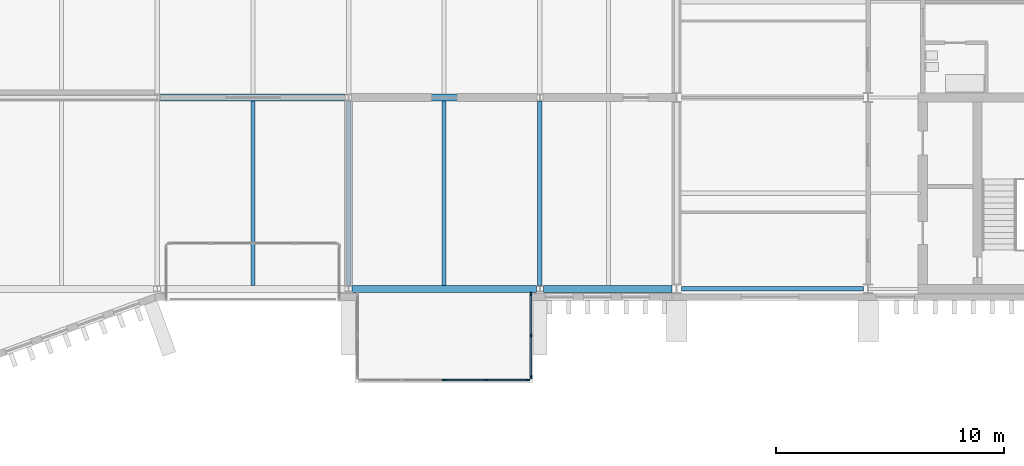
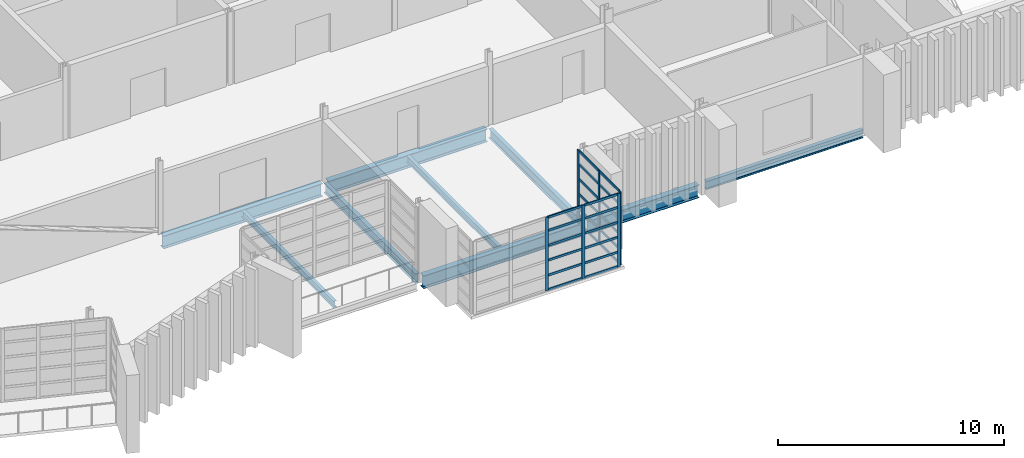
# One storey, part 38 of 88: 30 members, 9 beams, 2 elements without a shape of their own.
"""IFC4 building model written with IfcOpenShell, lengths in metres."""

from ifc_helpers import new_model, si_unit, direction, frame, origin, origin_2d, place, context, subcontext, project, spatial, rectangle, i_section, extrude, material, layer, layer_set, material_profile, profile_set, type_object, element, aggregate, save


model = new_model("IFC4")

# Units and contexts
model_context = context("Model", 3, precision=1e-05, world=origin(), true_north=direction((0.0, 1.0)))
body_context = subcontext(model_context, "Body", "Model", "MODEL_VIEW")
ifc_project = project(units=[si_unit("LENGTHUNIT", "METRE"), si_unit("AREAUNIT", "SQUARE_METRE"), si_unit("VOLUMEUNIT", "CUBIC_METRE"), si_unit("PLANEANGLEUNIT", "RADIAN"), si_unit("MASSUNIT", "GRAM", prefix="KILO")], contexts=[model_context])

# Site, building, storey
site_placement = place(None, origin())
site = spatial("IfcSite", under=ifc_project, at=site_placement, CompositionType="ELEMENT")
building_placement = place(site_placement, origin())
building = spatial("IfcBuilding", under=site, at=building_placement, Name="Cresset Court Congress Hotel", CompositionType="ELEMENT")
storey_placement = place(building_placement, frame((0.0, 0.0, 14.39990234375)))
storey = spatial("IfcBuildingStorey", under=building, at=storey_placement, Name="L03", CompositionType="ELEMENT", Elevation=14.39990234375)

# Curtain wall, members
ifc_material_1 = material(Name="Aluminium frame with double glazing", Category="aluminium")
ifc_layer = layer(ifc_material_1, 0.199951171875)
ifc_layer_set = layer_set([ifc_layer], Name="Glazed box curtain wall 1680 module")
curtain_wall_type = type_object("IfcCurtainWallType", Name="Glazed box curtain wall 1680 module", PredefinedType="NOTDEFINED", material=ifc_layer_set)
curtain_wall_1_placement = place(storey_placement, origin())
curtain_wall_1 = element("IfcCurtainWall", 1, at=curtain_wall_1_placement, inside=storey, type_object=curtain_wall_type, Name="Glazed box S0323 front", PredefinedType="NOTDEFINED")
ifc_material_2 = material(Name="Aluminium", Category="aluminium")
ifc_material_profile_1 = material_profile(ifc_material_2, rectangle(XDim=0.06005859375, YDim=0.159912109375, at=origin_2d()), Name="Box mullion 60x160")
ifc_profile_set_1 = profile_set([ifc_material_profile_1], Name="Aluminium")
member_type_1 = type_object("IfcMemberType", Name="Box mullion 60x160", PredefinedType="MULLION", material=ifc_profile_set_1)
member_1_placement = place(storey_placement, frame((147.0, -4.0, 0.0), z_axis=(0.0, 0.0, 1.0), x_axis=(0.0, 1.0, 0.0)))
member_1 = element("IfcMember", 2, at=member_1_placement, type_object=member_type_1, Name="B-X1 mullion 3", PredefinedType="MULLION", context=body_context, shape_type="SweptSolid", body=[
    extrude(rectangle(XDim=0.06005859375, YDim=0.159912109375, at=origin_2d()), origin(), (0.0, 0.0, 1.0), 3.9501953125),
])
member_2_placement = place(storey_placement, frame((148.85009765625, -4.0, 0.0), z_axis=(0.0, 0.0, 1.0), x_axis=(0.0, 1.0, 0.0)))
member_2 = element("IfcMember", 3, at=member_2_placement, type_object=member_type_1, Name="B-X1 mullion 4", PredefinedType="MULLION", context=body_context, shape_type="SweptSolid", body=[
    extrude(rectangle(XDim=0.06005859375, YDim=0.159912109375, at=origin_2d()), origin(), (0.0, 0.0, 1.0), 3.9501953125),
])
member_3_placement = place(storey_placement, frame((150.669921875, -4.0, 0.0), z_axis=(0.0, 0.0, 1.0), x_axis=(0.0, 1.0, 0.0)))
member_3 = element("IfcMember", 4, at=member_3_placement, type_object=member_type_1, Name="B-X1 mullion 5", PredefinedType="MULLION", context=body_context, shape_type="SweptSolid", body=[
    extrude(rectangle(XDim=0.06005859375, YDim=0.159912109375, at=origin_2d()), origin(), (0.0, 0.0, 1.0), 3.9501953125),
])

curtain_wall_2_placement = place(storey_placement, origin())
curtain_wall_2 = element("IfcCurtainWall", 5, at=curtain_wall_2_placement, inside=storey, type_object=curtain_wall_type, Name="Glazed box S0323 side", PredefinedType="NOTDEFINED")
member_4_placement = place(storey_placement, frame((150.800048828125, -0.22998046875, 0.0), z_axis=(0.0, 0.0, 1.0), x_axis=(1.0, 0.0, 0.0)))
member_4 = element("IfcMember", 6, at=member_4_placement, type_object=member_type_1, Name="B-X1 mullion 1", PredefinedType="MULLION", context=body_context, shape_type="SweptSolid", body=[
    extrude(rectangle(XDim=0.06005859375, YDim=0.159912109375, at=origin_2d()), origin(), (0.0, 0.0, 1.0), 3.9501953125),
])
member_5_placement = place(storey_placement, frame((150.800048828125, -2.050048828125, 0.0), z_axis=(0.0, 0.0, 1.0), x_axis=(1.0, 0.0, 0.0)))
member_5 = element("IfcMember", 7, at=member_5_placement, type_object=member_type_1, Name="B-X1 mullion 2", PredefinedType="MULLION", context=body_context, shape_type="SweptSolid", body=[
    extrude(rectangle(XDim=0.06005859375, YDim=0.159912109375, at=origin_2d()), origin(), (0.0, 0.0, 1.0), 3.9501953125),
])
member_6_placement = place(storey_placement, frame((150.800048828125, -3.8701171875, 0.0), z_axis=(0.0, 0.0, 1.0), x_axis=(1.0, 0.0, 0.0)))
member_6 = element("IfcMember", 8, at=member_6_placement, type_object=member_type_1, Name="B-X1 mullion 3", PredefinedType="MULLION", context=body_context, shape_type="SweptSolid", body=[
    extrude(rectangle(XDim=0.06005859375, YDim=0.159912109375, at=origin_2d()), origin(), (0.0, 0.0, 1.0), 3.9501953125),
])

# Member
ifc_material_3 = material(Name="Aluminium", Category="aluminium")
ifc_material_profile_2 = material_profile(ifc_material_3, rectangle(XDim=0.06005859375, YDim=0.1201171875, at=origin_2d()), Name="Box transom 60x120")
ifc_profile_set_2 = profile_set([ifc_material_profile_2], Name="Aluminium")
member_type_2 = type_object("IfcMemberType", Name="Box transom 60x120", PredefinedType="USERDEFINED", material=ifc_profile_set_2)
member_7_placement = place(storey_placement, frame((147.030029296875, -4.0, 0.030029296875), z_axis=(1.0, 0.0, 0.0), x_axis=(0.0, 1.0, 0.0)))
member_7 = element("IfcMember", 9, at=member_7_placement, type_object=member_type_2, Name="B-X1 transom 3.1", ObjectType="TRANSOM", PredefinedType="USERDEFINED", context=body_context, shape_type="SweptSolid", body=[
    extrude(rectangle(XDim=0.06005859375, YDim=0.1201171875, at=origin_2d()), origin(), (0.0, 0.0, 1.0), 1.7900390625),
])

member_8_placement = place(storey_placement, frame((147.030029296875, -4.0, 0.80517578125), z_axis=(1.0, 0.0, 0.0), x_axis=(0.0, 1.0, 0.0)))
member_8 = element("IfcMember", 10, at=member_8_placement, type_object=member_type_2, Name="B-X1 transom 3.2", ObjectType="TRANSOM", PredefinedType="USERDEFINED", context=body_context, shape_type="SweptSolid", body=[
    extrude(rectangle(XDim=0.06005859375, YDim=0.1201171875, at=origin_2d()), origin(), (0.0, 0.0, 1.0), 1.7900390625),
])

member_9_placement = place(storey_placement, frame((147.030029296875, -4.0, 1.610107421875), z_axis=(1.0, 0.0, 0.0), x_axis=(0.0, 1.0, 0.0)))
member_9 = element("IfcMember", 11, at=member_9_placement, type_object=member_type_2, Name="B-X1 transom 3.3", ObjectType="TRANSOM", PredefinedType="USERDEFINED", context=body_context, shape_type="SweptSolid", body=[
    extrude(rectangle(XDim=0.06005859375, YDim=0.1201171875, at=origin_2d()), origin(), (0.0, 0.0, 1.0), 1.7900390625),
])

member_10_placement = place(storey_placement, frame((147.030029296875, -4.0, 2.4150390625), z_axis=(1.0, 0.0, 0.0), x_axis=(0.0, 1.0, 0.0)))
member_10 = element("IfcMember", 12, at=member_10_placement, type_object=member_type_2, Name="B-X1 transom 3.4", ObjectType="TRANSOM", PredefinedType="USERDEFINED", context=body_context, shape_type="SweptSolid", body=[
    extrude(rectangle(XDim=0.06005859375, YDim=0.1201171875, at=origin_2d()), origin(), (0.0, 0.0, 1.0), 1.7900390625),
])

member_11_placement = place(storey_placement, frame((147.030029296875, -4.0, 3.22021484375), z_axis=(1.0, 0.0, 0.0), x_axis=(0.0, 1.0, 0.0)))
member_11 = element("IfcMember", 13, at=member_11_placement, type_object=member_type_2, Name="B-X1 transom 3.5", ObjectType="TRANSOM", PredefinedType="USERDEFINED", context=body_context, shape_type="SweptSolid", body=[
    extrude(rectangle(XDim=0.06005859375, YDim=0.1201171875, at=origin_2d()), origin(), (0.0, 0.0, 1.0), 1.7900390625),
])

member_12_placement = place(storey_placement, frame((147.030029296875, -4.0, 3.920166015625), z_axis=(1.0, 0.0, 0.0), x_axis=(0.0, 1.0, 0.0)))
member_12 = element("IfcMember", 14, at=member_12_placement, type_object=member_type_2, Name="B-X1 transom 3.6", ObjectType="TRANSOM", PredefinedType="USERDEFINED", context=body_context, shape_type="SweptSolid", body=[
    extrude(rectangle(XDim=0.06005859375, YDim=0.1201171875, at=origin_2d()), origin(), (0.0, 0.0, 1.0), 1.7900390625),
])

member_13_placement = place(storey_placement, frame((148.8798828125, -4.0, 0.030029296875), z_axis=(1.0, 0.0, 0.0), x_axis=(0.0, 1.0, 0.0)))
member_13 = element("IfcMember", 15, at=member_13_placement, type_object=member_type_2, Name="B-X1 transom 4.1", ObjectType="TRANSOM", PredefinedType="USERDEFINED", context=body_context, shape_type="SweptSolid", body=[
    extrude(rectangle(XDim=0.06005859375, YDim=0.1201171875, at=origin_2d()), origin(), (0.0, 0.0, 1.0), 1.760009765625),
])

member_14_placement = place(storey_placement, frame((148.8798828125, -4.0, 0.80517578125), z_axis=(1.0, 0.0, 0.0), x_axis=(0.0, 1.0, 0.0)))
member_14 = element("IfcMember", 16, at=member_14_placement, type_object=member_type_2, Name="B-X1 transom 4.2", ObjectType="TRANSOM", PredefinedType="USERDEFINED", context=body_context, shape_type="SweptSolid", body=[
    extrude(rectangle(XDim=0.06005859375, YDim=0.1201171875, at=origin_2d()), origin(), (0.0, 0.0, 1.0), 1.760009765625),
])

member_15_placement = place(storey_placement, frame((148.8798828125, -4.0, 1.610107421875), z_axis=(1.0, 0.0, 0.0), x_axis=(0.0, 1.0, 0.0)))
member_15 = element("IfcMember", 17, at=member_15_placement, type_object=member_type_2, Name="B-X1 transom 4.3", ObjectType="TRANSOM", PredefinedType="USERDEFINED", context=body_context, shape_type="SweptSolid", body=[
    extrude(rectangle(XDim=0.06005859375, YDim=0.1201171875, at=origin_2d()), origin(), (0.0, 0.0, 1.0), 1.760009765625),
])

member_16_placement = place(storey_placement, frame((148.8798828125, -4.0, 2.4150390625), z_axis=(1.0, 0.0, 0.0), x_axis=(0.0, 1.0, 0.0)))
member_16 = element("IfcMember", 18, at=member_16_placement, type_object=member_type_2, Name="B-X1 transom 4.4", ObjectType="TRANSOM", PredefinedType="USERDEFINED", context=body_context, shape_type="SweptSolid", body=[
    extrude(rectangle(XDim=0.06005859375, YDim=0.1201171875, at=origin_2d()), origin(), (0.0, 0.0, 1.0), 1.760009765625),
])

member_17_placement = place(storey_placement, frame((148.8798828125, -4.0, 3.22021484375), z_axis=(1.0, 0.0, 0.0), x_axis=(0.0, 1.0, 0.0)))
member_17 = element("IfcMember", 19, at=member_17_placement, type_object=member_type_2, Name="B-X1 transom 4.5", ObjectType="TRANSOM", PredefinedType="USERDEFINED", context=body_context, shape_type="SweptSolid", body=[
    extrude(rectangle(XDim=0.06005859375, YDim=0.1201171875, at=origin_2d()), origin(), (0.0, 0.0, 1.0), 1.760009765625),
])

member_18_placement = place(storey_placement, frame((148.8798828125, -4.0, 3.920166015625), z_axis=(1.0, 0.0, 0.0), x_axis=(0.0, 1.0, 0.0)))
member_18 = element("IfcMember", 20, at=member_18_placement, type_object=member_type_2, Name="B-X1 transom 4.6", ObjectType="TRANSOM", PredefinedType="USERDEFINED", context=body_context, shape_type="SweptSolid", body=[
    extrude(rectangle(XDim=0.06005859375, YDim=0.1201171875, at=origin_2d()), origin(), (0.0, 0.0, 1.0), 1.760009765625),
])

aggregate(curtain_wall_1, [member_1, member_2, member_3, member_7, member_8, member_9, member_10, member_11, member_12, member_13, member_14, member_15, member_16, member_17, member_18])

member_19_placement = place(storey_placement, frame((150.800048828125, -0.260009765625, 0.030029296875), z_axis=(0.0, -1.0, 0.0), x_axis=(1.0, 0.0, 0.0)))
member_19 = element("IfcMember", 21, at=member_19_placement, type_object=member_type_2, Name="B-X1 transom 1.1", ObjectType="TRANSOM", PredefinedType="USERDEFINED", context=body_context, shape_type="SweptSolid", body=[
    extrude(rectangle(XDim=0.06005859375, YDim=0.1201171875, at=origin_2d()), origin(), (0.0, 0.0, 1.0), 1.760009765625),
])

member_20_placement = place(storey_placement, frame((150.800048828125, -0.260009765625, 0.80517578125), z_axis=(0.0, -1.0, 0.0), x_axis=(1.0, 0.0, 0.0)))
member_20 = element("IfcMember", 22, at=member_20_placement, type_object=member_type_2, Name="B-X1 transom 1.2", ObjectType="TRANSOM", PredefinedType="USERDEFINED", context=body_context, shape_type="SweptSolid", body=[
    extrude(rectangle(XDim=0.06005859375, YDim=0.1201171875, at=origin_2d()), origin(), (0.0, 0.0, 1.0), 1.760009765625),
])

member_21_placement = place(storey_placement, frame((150.800048828125, -0.260009765625, 1.610107421875), z_axis=(0.0, -1.0, 0.0), x_axis=(1.0, 0.0, 0.0)))
member_21 = element("IfcMember", 23, at=member_21_placement, type_object=member_type_2, Name="B-X1 transom 1.3", ObjectType="TRANSOM", PredefinedType="USERDEFINED", context=body_context, shape_type="SweptSolid", body=[
    extrude(rectangle(XDim=0.06005859375, YDim=0.1201171875, at=origin_2d()), origin(), (0.0, 0.0, 1.0), 1.760009765625),
])

member_22_placement = place(storey_placement, frame((150.800048828125, -0.260009765625, 2.4150390625), z_axis=(0.0, -1.0, 0.0), x_axis=(1.0, 0.0, 0.0)))
member_22 = element("IfcMember", 24, at=member_22_placement, type_object=member_type_2, Name="B-X1 transom 1.4", ObjectType="TRANSOM", PredefinedType="USERDEFINED", context=body_context, shape_type="SweptSolid", body=[
    extrude(rectangle(XDim=0.06005859375, YDim=0.1201171875, at=origin_2d()), origin(), (0.0, 0.0, 1.0), 1.760009765625),
])

member_23_placement = place(storey_placement, frame((150.800048828125, -0.260009765625, 3.22021484375), z_axis=(0.0, -1.0, 0.0), x_axis=(1.0, 0.0, 0.0)))
member_23 = element("IfcMember", 25, at=member_23_placement, type_object=member_type_2, Name="B-X1 transom 1.5", ObjectType="TRANSOM", PredefinedType="USERDEFINED", context=body_context, shape_type="SweptSolid", body=[
    extrude(rectangle(XDim=0.06005859375, YDim=0.1201171875, at=origin_2d()), origin(), (0.0, 0.0, 1.0), 1.760009765625),
])

member_24_placement = place(storey_placement, frame((150.800048828125, -0.260009765625, 3.920166015625), z_axis=(0.0, -1.0, 0.0), x_axis=(1.0, 0.0, 0.0)))
member_24 = element("IfcMember", 26, at=member_24_placement, type_object=member_type_2, Name="B-X1 transom 1.6", ObjectType="TRANSOM", PredefinedType="USERDEFINED", context=body_context, shape_type="SweptSolid", body=[
    extrude(rectangle(XDim=0.06005859375, YDim=0.1201171875, at=origin_2d()), origin(), (0.0, 0.0, 1.0), 1.760009765625),
])

member_25_placement = place(storey_placement, frame((150.800048828125, -2.080078125, 0.030029296875), z_axis=(0.0, -1.0, 0.0), x_axis=(1.0, 0.0, 0.0)))
member_25 = element("IfcMember", 27, at=member_25_placement, type_object=member_type_2, Name="B-X1 transom 2.1", ObjectType="TRANSOM", PredefinedType="USERDEFINED", context=body_context, shape_type="SweptSolid", body=[
    extrude(rectangle(XDim=0.06005859375, YDim=0.1201171875, at=origin_2d()), origin(), (0.0, 0.0, 1.0), 1.760009765625),
])

member_26_placement = place(storey_placement, frame((150.800048828125, -2.080078125, 0.80517578125), z_axis=(0.0, -1.0, 0.0), x_axis=(1.0, 0.0, 0.0)))
member_26 = element("IfcMember", 28, at=member_26_placement, type_object=member_type_2, Name="B-X1 transom 2.2", ObjectType="TRANSOM", PredefinedType="USERDEFINED", context=body_context, shape_type="SweptSolid", body=[
    extrude(rectangle(XDim=0.06005859375, YDim=0.1201171875, at=origin_2d()), origin(), (0.0, 0.0, 1.0), 1.760009765625),
])

member_27_placement = place(storey_placement, frame((150.800048828125, -2.080078125, 1.610107421875), z_axis=(0.0, -1.0, 0.0), x_axis=(1.0, 0.0, 0.0)))
member_27 = element("IfcMember", 29, at=member_27_placement, type_object=member_type_2, Name="B-X1 transom 2.3", ObjectType="TRANSOM", PredefinedType="USERDEFINED", context=body_context, shape_type="SweptSolid", body=[
    extrude(rectangle(XDim=0.06005859375, YDim=0.1201171875, at=origin_2d()), origin(), (0.0, 0.0, 1.0), 1.760009765625),
])

member_28_placement = place(storey_placement, frame((150.800048828125, -2.080078125, 2.4150390625), z_axis=(0.0, -1.0, 0.0), x_axis=(1.0, 0.0, 0.0)))
member_28 = element("IfcMember", 30, at=member_28_placement, type_object=member_type_2, Name="B-X1 transom 2.4", ObjectType="TRANSOM", PredefinedType="USERDEFINED", context=body_context, shape_type="SweptSolid", body=[
    extrude(rectangle(XDim=0.06005859375, YDim=0.1201171875, at=origin_2d()), origin(), (0.0, 0.0, 1.0), 1.760009765625),
])

member_29_placement = place(storey_placement, frame((150.800048828125, -2.080078125, 3.22021484375), z_axis=(0.0, -1.0, 0.0), x_axis=(1.0, 0.0, 0.0)))
member_29 = element("IfcMember", 31, at=member_29_placement, type_object=member_type_2, Name="B-X1 transom 2.5", ObjectType="TRANSOM", PredefinedType="USERDEFINED", context=body_context, shape_type="SweptSolid", body=[
    extrude(rectangle(XDim=0.06005859375, YDim=0.1201171875, at=origin_2d()), origin(), (0.0, 0.0, 1.0), 1.760009765625),
])

member_30_placement = place(storey_placement, frame((150.800048828125, -2.080078125, 3.920166015625), z_axis=(0.0, -1.0, 0.0), x_axis=(1.0, 0.0, 0.0)))
member_30 = element("IfcMember", 32, at=member_30_placement, type_object=member_type_2, Name="B-X1 transom 2.6", ObjectType="TRANSOM", PredefinedType="USERDEFINED", context=body_context, shape_type="SweptSolid", body=[
    extrude(rectangle(XDim=0.06005859375, YDim=0.1201171875, at=origin_2d()), origin(), (0.0, 0.0, 1.0), 1.760009765625),
])

aggregate(curtain_wall_2, [member_4, member_5, member_6, member_19, member_20, member_21, member_22, member_23, member_24, member_25, member_26, member_27, member_28, member_29, member_30])

# Beams
ifc_material_4 = material(Name="Structural steel Q355B", Category="steel")
ifc_material_profile_3 = material_profile(ifc_material_4, i_section(OverallWidth=0.198974609375, OverallDepth=0.446044921875, WebThickness=0.008056640625, FlangeThickness=0.011962890625, FilletRadius=0.012939453125, at=origin_2d()), Name="HN446x199x8x12")
ifc_profile_set_3 = profile_set([ifc_material_profile_3], Name="Structural steel Q355B")
beam_type_1 = type_object("IfcBeamType", Name="Steel beam HN446x199x8x12", PredefinedType="BEAM", material=ifc_profile_set_3)
beam_1_placement = place(storey_placement, frame((157.402587890625, 0.0, -0.372802734375), z_axis=(1.0, 0.0, 0.0), x_axis=(0.0, 1.0, 0.0)))
element("IfcBeam", 33, at=beam_1_placement, inside=storey, type_object=beam_type_1, Name="A.bm.L03.W.frame0.0", PredefinedType="BEAM", context=body_context, shape_type="SweptSolid", body=[
    extrude(i_section(OverallWidth=0.198974609375, OverallDepth=0.446044921875, WebThickness=0.008056640625, FlangeThickness=0.011962890625, FilletRadius=0.012939453125, at=origin_2d()), origin(), (0.0, 0.0, 1.0), 7.994873046875),
])
ifc_material_5 = material(Name="Structural steel Q355B", Category="steel")
ifc_material_profile_4 = material_profile(ifc_material_5, i_section(OverallWidth=0.199951171875, OverallDepth=0.5, WebThickness=0.010009765625, FlangeThickness=0.01611328125, FilletRadius=0.012939453125, at=origin_2d()), Name="HN500x200x10x16")
ifc_profile_set_4 = profile_set([ifc_material_profile_4], Name="Structural steel Q355B")
beam_type_2 = type_object("IfcBeamType", Name="Steel beam HN500x200x10x16", PredefinedType="BEAM", material=ifc_profile_set_4)
for number, where, z_axis, x_axis, name in (
    (34, (142.800048828125, 0.14990234375, -0.39990234375), (0.0, 1.0, 0.0), (-1.0, 0.0, 0.0), "B.by.L03.18A"),
    (35, (151.199951171875, 0.14990234375, -0.39990234375), (0.0, 1.0, 0.0), (-1.0, 0.0, 0.0), "B.by.L03.19A"),
):
    element("IfcBeam", number, at=place(storey_placement, frame(where, z_axis=z_axis, x_axis=x_axis)), inside=storey, type_object=beam_type_2, Name=name, PredefinedType="BEAM", context=body_context, shape_type="SweptSolid", body=[
        extrude(i_section(OverallWidth=0.199951171875, OverallDepth=0.5, WebThickness=0.010009765625, FlangeThickness=0.01611328125, FilletRadius=0.012939453125, at=origin_2d()), origin(), (0.0, 0.0, 1.0), 8.10009765625),
    ])
ifc_material_6 = material(Name="Structural steel Q355B", Category="steel")
ifc_material_profile_5 = material_profile(ifc_material_6, i_section(OverallWidth=0.300048828125, OverallDepth=0.699951171875, WebThickness=0.012939453125, FlangeThickness=0.02392578125, FilletRadius=0.01806640625, at=origin_2d()), Name="HN700x300x13x24")
ifc_profile_set_5 = profile_set([ifc_material_profile_5], Name="Structural steel Q355B")
beam_type_3 = type_object("IfcBeamType", Name="Steel beam HN700x300x13x24", PredefinedType="BEAM", material=ifc_profile_set_5)
beam_2_placement = place(storey_placement, frame((142.949951171875, 0.0, -0.5), z_axis=(1.0, 0.0, 0.0), x_axis=(0.0, 1.0, 0.0)))
element("IfcBeam", 36, at=beam_2_placement, inside=storey, type_object=beam_type_3, Name="B.bx.L03.A18", PredefinedType="BEAM", context=body_context, shape_type="SweptSolid", body=[
    extrude(i_section(OverallWidth=0.300048828125, OverallDepth=0.699951171875, WebThickness=0.012939453125, FlangeThickness=0.02392578125, FilletRadius=0.01806640625, at=origin_2d()), origin(), (0.0, 0.0, 1.0), 8.10009765625),
])
beam_3_placement = place(storey_placement, frame((151.35009765625, 0.0, -0.5), z_axis=(1.0, 0.0, 0.0), x_axis=(0.0, 1.0, 0.0)))
element("IfcBeam", 37, at=beam_3_placement, inside=storey, type_object=beam_type_3, Name="B.bx.L03.A19", PredefinedType="BEAM", context=body_context, shape_type="SweptSolid", body=[
    extrude(i_section(OverallWidth=0.300048828125, OverallDepth=0.699951171875, WebThickness=0.012939453125, FlangeThickness=0.02392578125, FilletRadius=0.01806640625, at=origin_2d()), origin(), (0.0, 0.0, 1.0), 5.64990234375),
])
beam_4_placement = place(storey_placement, frame((134.550048828125, 8.39990234375, -0.5), z_axis=(1.0, 0.0, 0.0), x_axis=(0.0, 1.0, 0.0)))
element("IfcBeam", 38, at=beam_4_placement, inside=storey, type_object=beam_type_3, Name="B.bx.L03.B17", PredefinedType="BEAM", context=body_context, shape_type="SweptSolid", body=[
    extrude(i_section(OverallWidth=0.300048828125, OverallDepth=0.699951171875, WebThickness=0.012939453125, FlangeThickness=0.02392578125, FilletRadius=0.01806640625, at=origin_2d()), origin(), (0.0, 0.0, 1.0), 8.099853515625),
])
beam_5_placement = place(storey_placement, frame((142.949951171875, 8.39990234375, -0.5), z_axis=(1.0, 0.0, 0.0), x_axis=(0.0, 1.0, 0.0)))
element("IfcBeam", 39, at=beam_5_placement, inside=storey, type_object=beam_type_3, Name="B.bx.L03.B18", PredefinedType="BEAM", context=body_context, shape_type="SweptSolid", body=[
    extrude(i_section(OverallWidth=0.300048828125, OverallDepth=0.699951171875, WebThickness=0.012939453125, FlangeThickness=0.02392578125, FilletRadius=0.01806640625, at=origin_2d()), origin(), (0.0, 0.0, 1.0), 8.10009765625),
])
ifc_material_7 = material(Name="Structural steel Q355B", Category="steel")
ifc_material_profile_6 = material_profile(ifc_material_7, i_section(OverallWidth=0.175048828125, OverallDepth=0.35009765625, WebThickness=0.007080078125, FlangeThickness=0.010986328125, FilletRadius=0.012939453125, at=origin_2d()), Name="HN350x175x7x11")
ifc_profile_set_6 = profile_set([ifc_material_profile_6], Name="Structural steel Q355B")
beam_type_4 = type_object("IfcBeamType", Name="Steel joist HN350x175x7x11", PredefinedType="JOIST", material=ifc_profile_set_6)
for number, where, z_axis, x_axis, name in (
    (40, (138.60009765625, 0.14990234375, -0.324951171875), (0.0, 1.0, 0.0), (-1.0, 0.0, 0.0), "B.bj.L03.17A"),
    (41, (147.0, 0.14990234375, -0.324951171875), (0.0, 1.0, 0.0), (-1.0, 0.0, 0.0), "B.bj.L03.18A"),
):
    element("IfcBeam", number, at=place(storey_placement, frame(where, z_axis=z_axis, x_axis=x_axis)), inside=storey, type_object=beam_type_4, Name=name, PredefinedType="JOIST", context=body_context, shape_type="SweptSolid", body=[
        extrude(i_section(OverallWidth=0.175048828125, OverallDepth=0.35009765625, WebThickness=0.007080078125, FlangeThickness=0.010986328125, FilletRadius=0.012939453125, at=origin_2d()), origin(), (0.0, 0.0, 1.0), 8.10009765625),
    ])

save(model, "model.ifc")
